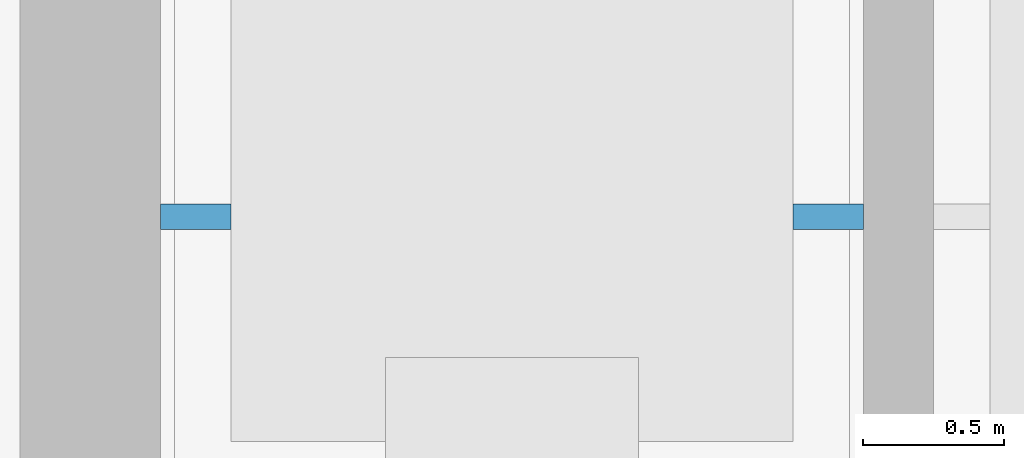
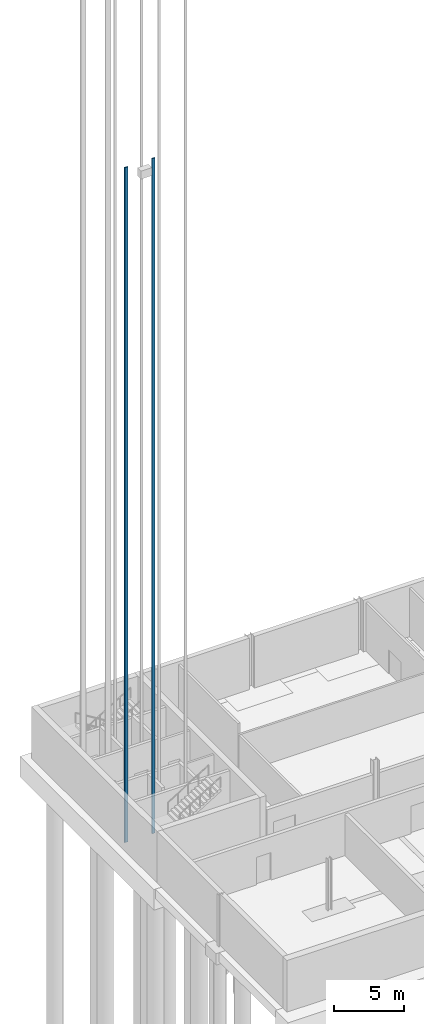
# One storey, part 20 of 41: 2 discrete accessories.
"""IFC4 building model written with IfcOpenShell, lengths in metres."""

from ifc_helpers import new_model, si_unit, direction, frame, origin, origin_2d, place, context, subcontext, project, spatial, rectangle, extrude, material, type_object, element, save


model = new_model("IFC4")

# Units and contexts
model_context = context("Model", 3, precision=1e-05, world=origin(), true_north=direction((0.0, 1.0)))
body_context = subcontext(model_context, "Body", "Model", "MODEL_VIEW")
ifc_project = project(units=[si_unit("LENGTHUNIT", "METRE"), si_unit("AREAUNIT", "SQUARE_METRE"), si_unit("VOLUMEUNIT", "CUBIC_METRE"), si_unit("PLANEANGLEUNIT", "RADIAN"), si_unit("MASSUNIT", "GRAM", prefix="KILO")], contexts=[model_context])

# Site, building, storey
site_placement = place(None, origin())
site = spatial("IfcSite", under=ifc_project, at=site_placement, CompositionType="ELEMENT")
building_placement = place(site_placement, origin())
building = spatial("IfcBuilding", under=site, at=building_placement, Name="Corbel Yard City Hall", CompositionType="ELEMENT")
storey_placement = place(building_placement, frame((0.0, 0.0, -4.5)))
storey = spatial("IfcBuildingStorey", under=building, at=storey_placement, Name="B1", CompositionType="ELEMENT", Elevation=-4.5)

# Discrete accessories
ifc_material = material(Name="Steel Grade G250", Category="steel")
discrete_accessory_type = type_object("IfcDiscreteAccessoryType", Name="LR1", PredefinedType="USERDEFINED", material=ifc_material)
for number, where, z_axis, x_axis, name in (
    (1, (0.625, 104.550048828125, 0.0), (0.0, 0.0, 1.0), (1.0, 0.0, 0.0), "Lift LP23 guide rail 1"),
    (2, (2.875, 104.550048828125, 0.0), (0.0, 0.0, 1.0), (1.0, 0.0, 0.0), "Lift LP23 guide rail 2"),
):
    element("IfcDiscreteAccessory", number, at=place(storey_placement, frame(where, z_axis=z_axis, x_axis=x_axis)), inside=storey, type_object=discrete_accessory_type, Name=name, ObjectType="GUIDE RAIL", PredefinedType="USERDEFINED", context=body_context, shape_type="SweptSolid", body=[
        extrude(rectangle(XDim=0.25, YDim=0.090087890625, at=origin_2d()), origin(), (0.0, 0.0, 1.0), 59.0),
    ])

save(model, "model.ifc")
